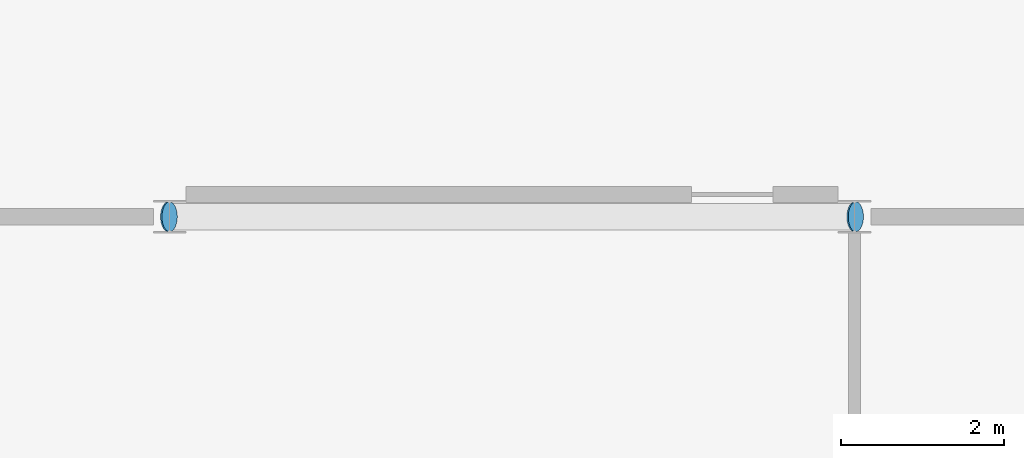
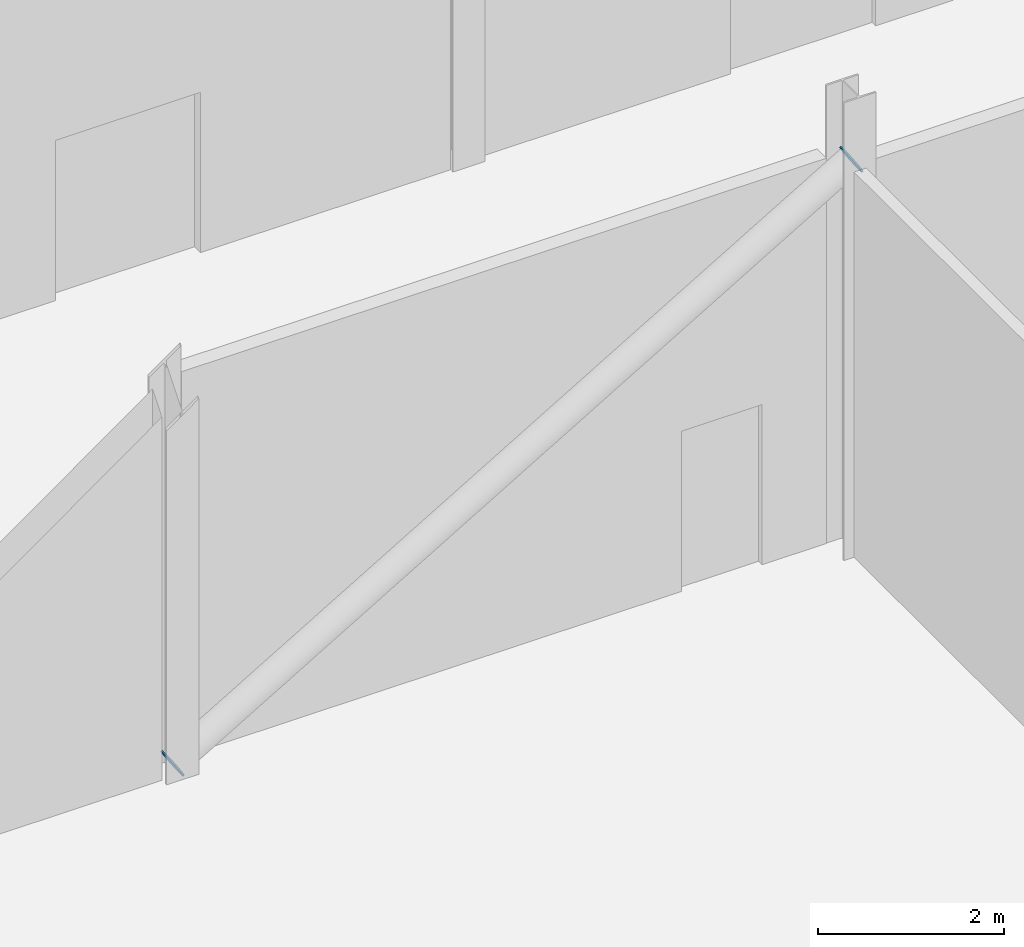
# One storey, part 81 of 108: 2 discrete accessories.
"""IFC4 building model written with IfcOpenShell, lengths in metres."""

from ifc_helpers import new_model, si_unit, direction, frame, origin, origin_2d, place, context, subcontext, project, spatial, circle, extrude, material, layer, layer_set, type_object, element, save


model = new_model("IFC4")

# Units and contexts
model_context = context("Model", 3, precision=1e-05, world=origin(), true_north=direction((0.0, 1.0)))
body_context = subcontext(model_context, "Body", "Model", "MODEL_VIEW")
ifc_project = project(units=[si_unit("LENGTHUNIT", "METRE"), si_unit("AREAUNIT", "SQUARE_METRE"), si_unit("VOLUMEUNIT", "CUBIC_METRE"), si_unit("PLANEANGLEUNIT", "RADIAN"), si_unit("MASSUNIT", "GRAM", prefix="KILO")], contexts=[model_context])

# Site, building, storey
site_placement = place(None, origin())
site = spatial("IfcSite", under=ifc_project, at=site_placement, CompositionType="ELEMENT")
building_placement = place(site_placement, origin())
building = spatial("IfcBuilding", under=site, at=building_placement, Name="Cresset Court Congress Hotel", CompositionType="ELEMENT")
storey_placement = place(building_placement, origin())
storey = spatial("IfcBuildingStorey", under=building, at=storey_placement, Name="L00", CompositionType="ELEMENT", Elevation=0.0)

# Discrete accessories
ifc_material = material(Name="Structural steel Q355B", Category="steel")
ifc_layer = layer(ifc_material, 0.02001953125)
ifc_layer_set = layer_set([ifc_layer], Name="Brace end gusset 325x20")
discrete_accessory_type = type_object("IfcDiscreteAccessoryType", Name="Brace end gusset 325x20", PredefinedType="BRACKET", material=ifc_layer_set)
for number, where, z_axis, x_axis, name in (
    (1, (42.0, 8.39990234375, 0.10009765625), (-0.857492925713, 0.0, -0.514495755428), (0.0, -1.0, 0.0), "Brace end gusset L00 6-1"),
    (2, (50.39990234375, 8.39990234375, 5.06005859375), (0.860685098679, 0.0, 0.509137664008), (0.0, 1.0, 0.0), "Brace end gusset L00 6-2"),
):
    element("IfcDiscreteAccessory", number, at=place(storey_placement, frame(where, z_axis=z_axis, x_axis=x_axis)), inside=storey, type_object=discrete_accessory_type, Name=name, PredefinedType="BRACKET", context=body_context, shape_type="SweptSolid", body=[
        extrude(circle(Radius=0.1826171875, at=origin_2d()), origin(), (0.0, 0.0, 1.0), 0.02001953125),
    ])

save(model, "model.ifc")
